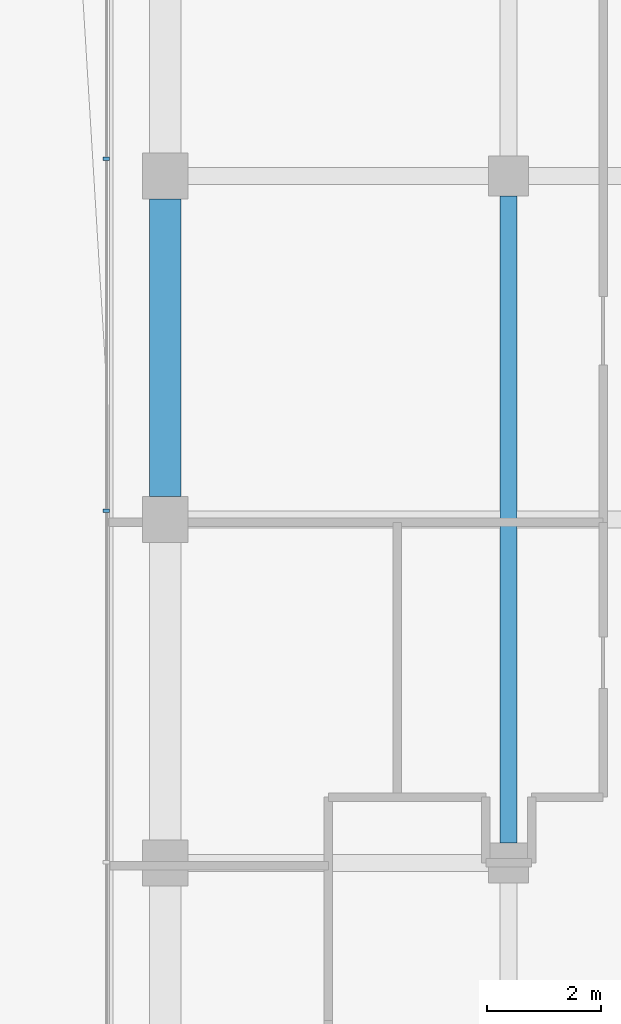
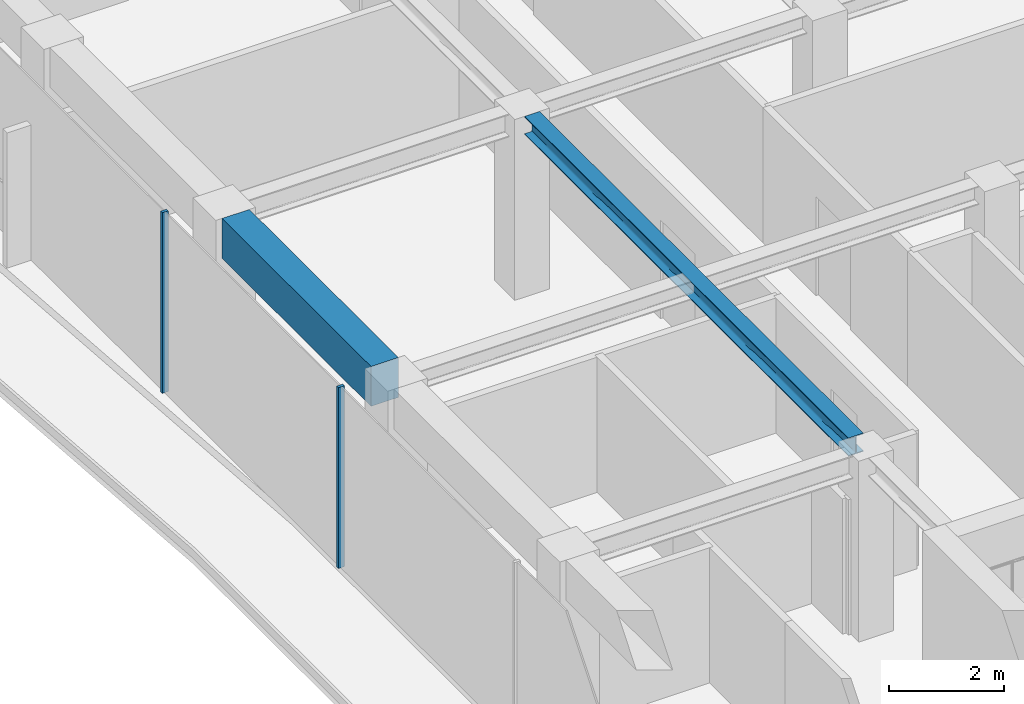
# One storey, part 6 of 21: 2 beams, 2 members, 1 element without a shape of its own.
"""IFC4 building model written with IfcOpenShell, lengths in metres."""

from ifc_helpers import new_model, si_unit, direction, frame, origin, origin_2d, place, context, subcontext, project, spatial, rectangle, i_section, extrude, material, layer, layer_set, material_profile, profile_set, type_object, element, aggregate, save


model = new_model("IFC4")

# Units and contexts
model_context = context("Model", 3, precision=1e-05, world=origin(), true_north=direction((0.0, 1.0)))
body_context = subcontext(model_context, "Body", "Model", "MODEL_VIEW")
ifc_project = project(units=[si_unit("LENGTHUNIT", "METRE"), si_unit("AREAUNIT", "SQUARE_METRE"), si_unit("VOLUMEUNIT", "CUBIC_METRE"), si_unit("PLANEANGLEUNIT", "RADIAN"), si_unit("MASSUNIT", "GRAM", prefix="KILO")], contexts=[model_context])

# Site, building, storey
site_placement = place(None, origin())
site = spatial("IfcSite", under=ifc_project, at=site_placement, CompositionType="ELEMENT")
building_placement = place(site_placement, origin())
building = spatial("IfcBuilding", under=site, at=building_placement, Name="Welwitschia Terrace Campus", CompositionType="ELEMENT")
storey_placement = place(building_placement, frame((0.0, 0.0, 213.800048828125)))
storey = spatial("IfcBuildingStorey", under=building, at=storey_placement, Name="L47", CompositionType="ELEMENT", Elevation=213.800048828125)

# Beam
ifc_material_1 = material(Name="Steel S355", Category="steel")
ifc_material_profile_1 = material_profile(ifc_material_1, i_section(OverallWidth=0.300048828125, OverallDepth=0.389892578125, WebThickness=0.010986328125, FlangeThickness=0.01904296875, FilletRadius=0.027099609375, at=origin_2d()))
ifc_profile_set_1 = profile_set([ifc_material_profile_1], Name="Steel S355")
beam_type_1 = type_object("IfcBeamType", Name="Interior girder HE 400 A", PredefinedType="BEAM", material=ifc_profile_set_1)
beam_1_placement = place(storey_placement, frame((6.0, 28.3505859375, 3.655029296875), z_axis=(0.0, 1.0, 0.0), x_axis=(-1.0, 0.0, 0.0)))
element("IfcBeam", 1, at=beam_1_placement, inside=storey, type_object=beam_type_1, Name="Girder GB5", PredefinedType="BEAM", context=body_context, shape_type="SweptSolid", body=[
    extrude(i_section(OverallWidth=0.300048828125, OverallDepth=0.389892578125, WebThickness=0.010986328125, FlangeThickness=0.01904296875, FilletRadius=0.027099609375, at=origin_2d()), origin(), (0.0, 0.0, 1.0), 11.298828125),
])

# Curtain wall, members
ifc_material_2 = material(Name="Bronze anodised aluminium", Category="aluminium")
ifc_layer = layer(ifc_material_2, 0.1201171875)
ifc_layer_set = layer_set([ifc_layer], Name="Bronze anodised aluminium")
curtain_wall_type = type_object("IfcCurtainWallType", Name="Curtain wall CW2 tower 6000", PredefinedType="NOTDEFINED", material=ifc_layer_set)
curtain_wall_placement = place(storey_placement, origin())
curtain_wall = element("IfcCurtainWall", 2, at=curtain_wall_placement, inside=storey, type_object=curtain_wall_type, Name="CW L47.8.0", PredefinedType="NOTDEFINED")
ifc_material_3 = material(Name="Bronze anodised aluminium", Category="aluminium")
ifc_material_profile_2 = material_profile(ifc_material_3, rectangle(XDim=0.1201171875, YDim=0.06005859375, at=origin_2d()))
ifc_profile_set_2 = profile_set([ifc_material_profile_2], Name="Bronze anodised aluminium")
member_type = type_object("IfcMemberType", Name="Mullion 60x120", PredefinedType="MULLION", material=ifc_profile_set_2)
member_1_placement = place(storey_placement, frame((-1.030029296875, 40.3017578125, 0.0), z_axis=(0.0, 0.0, 1.0), x_axis=(1.0, 0.0, 0.0)))
member_1 = element("IfcMember", 3, at=member_1_placement, type_object=member_type, Name="Mullion L47.8.0.5", PredefinedType="MULLION", context=body_context, shape_type="SweptSolid", body=[
    extrude(rectangle(XDim=0.1201171875, YDim=0.06005859375, at=origin_2d()), origin(), (0.0, 0.0, 1.0), 3.849853515625),
])
member_2_placement = place(storey_placement, frame((-1.030029296875, 34.156005859375, 0.0), z_axis=(0.0, 0.0, 1.0), x_axis=(1.0, 0.0, 0.0)))
member_2 = element("IfcMember", 4, at=member_2_placement, type_object=member_type, Name="Mullion L47.8.0.6", PredefinedType="MULLION", context=body_context, shape_type="SweptSolid", body=[
    extrude(rectangle(XDim=0.1201171875, YDim=0.06005859375, at=origin_2d()), origin(), (0.0, 0.0, 1.0), 3.849853515625),
])
aggregate(curtain_wall, [member_1, member_2])

# Beam
ifc_material_4 = material(Name="Concrete C50/60", Category="concrete")
ifc_material_profile_3 = material_profile(ifc_material_4, rectangle(XDim=0.550048828125, YDim=0.85009765625, at=origin_2d()))
ifc_profile_set_3 = profile_set([ifc_material_profile_3], Name="Concrete C50/60")
beam_type_2 = type_object("IfcBeamType", Name="Ring spandrel 550x850", PredefinedType="SPANDREL", material=ifc_profile_set_3)
beam_2_placement = place(storey_placement, frame((0.0, 39.599609375, 3.425048828125), z_axis=(0.0, -1.0, 0.0), x_axis=(1.0, 0.0, 0.0)))
element("IfcBeam", 5, at=beam_2_placement, inside=storey, type_object=beam_type_2, Name="Spandrel SP3", PredefinedType="SPANDREL", context=body_context, shape_type="SweptSolid", body=[
    extrude(rectangle(XDim=0.550048828125, YDim=0.85009765625, at=origin_2d()), origin(), (0.0, 0.0, 1.0), 5.19921875),
])

save(model, "model.ifc")
